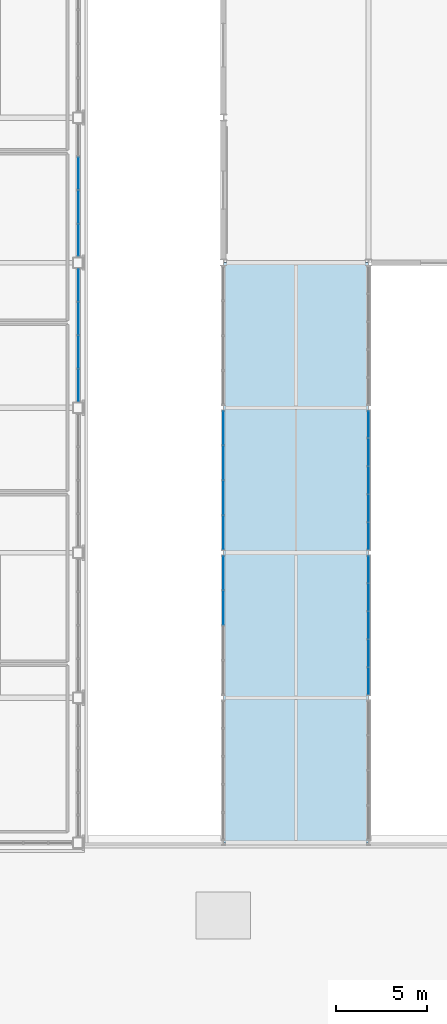
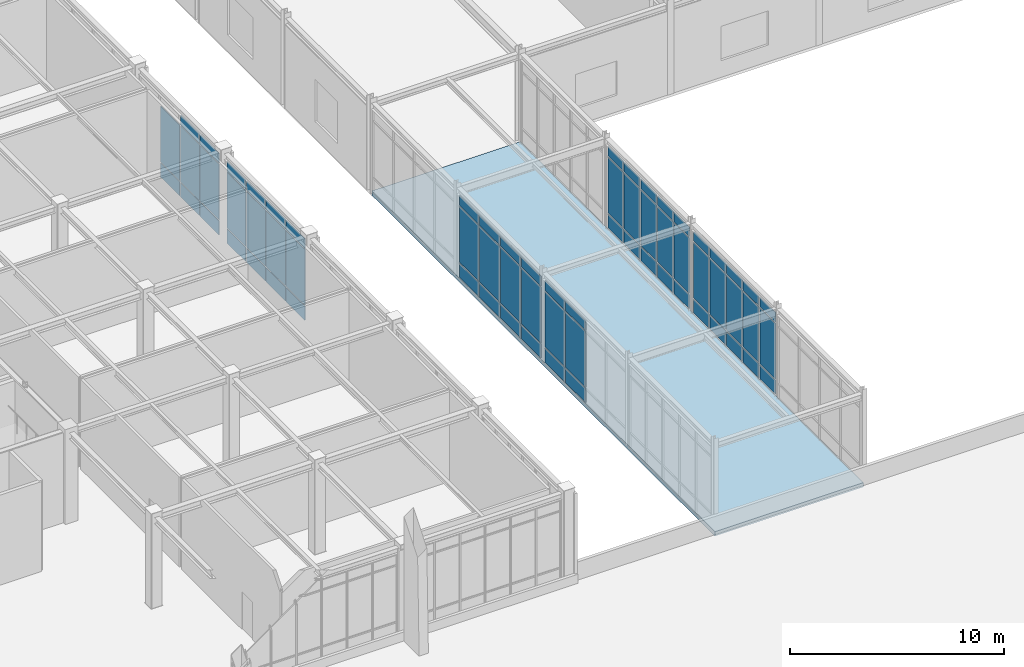
# One storey, part 62 of 108: 68 plates, 1 slab, 6 elements without a shape of their own.
"""IFC4 building model written with IfcOpenShell, lengths in metres."""

from ifc_helpers import new_model, si_unit, direction, frame, origin, origin_2d, place, context, subcontext, project, spatial, polyline, rectangle, outline, extrude, material, layer, layer_set, type_object, element, aggregate, save


model = new_model("IFC4")

# Units and contexts
model_context = context("Model", 3, precision=1e-05, world=origin(), true_north=direction((0.0, 1.0)))
body_context = subcontext(model_context, "Body", "Model", "MODEL_VIEW")
ifc_project = project(units=[si_unit("LENGTHUNIT", "METRE"), si_unit("AREAUNIT", "SQUARE_METRE"), si_unit("VOLUMEUNIT", "CUBIC_METRE"), si_unit("PLANEANGLEUNIT", "RADIAN"), si_unit("MASSUNIT", "GRAM", prefix="KILO")], contexts=[model_context])

# Site, building, storey
site_placement = place(None, origin())
site = spatial("IfcSite", under=ifc_project, at=site_placement, CompositionType="ELEMENT")
building_placement = place(site_placement, origin())
building = spatial("IfcBuilding", under=site, at=building_placement, Name="Zhaolan Boulevard Law Courts", CompositionType="ELEMENT")
storey_placement = place(building_placement, frame((0.0, 0.0, 10.800048828125)))
storey = spatial("IfcBuildingStorey", under=building, at=storey_placement, Name="L02", CompositionType="ELEMENT", Elevation=10.800048828125)

# Curtain wall, plates
ifc_material_1 = material(Name="Thermally broken aluminium and low-E glazing", Category="aluminium")
curtain_wall_type_1 = type_object("IfcCurtainWallType", Name="CURTAIN WALL M21", PredefinedType="USERDEFINED", material=ifc_material_1)
curtain_wall_1_placement = place(storey_placement, origin())
curtain_wall_1 = element("IfcCurtainWall", 1, at=curtain_wall_1_placement, inside=storey, type_object=curtain_wall_type_1, Name="Curtain Wall CW-L02-093", ObjectType="CURTAIN WALL", PredefinedType="USERDEFINED")
ifc_material_2 = material(Name="Triple-silver low-E insulated glazing", Category="glass")
ifc_layer_1 = layer(ifc_material_2, 0.028076171875)
ifc_layer_set_1 = layer_set([ifc_layer_1])
plate_type = type_object("IfcPlateType", Name="CWPANEL LOW E28", PredefinedType="CURTAIN_PANEL", material=ifc_layer_set_1)
plate_1_placement = place(storey_placement, frame((52.0, 44.888427734375, 0.06494140625), z_axis=(0.0, 0.0, 1.0), x_axis=(0.0, -1.0, 0.0)))
plate_1 = element("IfcPlate", 2, at=plate_1_placement, type_object=plate_type, Name="CW-L02-093 panel 1.1", PredefinedType="CURTAIN_PANEL", context=body_context, shape_type="SweptSolid", body=[
    extrude(rectangle(XDim=1.839111328125, YDim=0.028076171875, at=origin_2d()), origin(), (0.0, 0.0, 1.0), 0.802490234375),
])
plate_2_placement = place(storey_placement, frame((52.0, 44.888427734375, 0.932373046875), z_axis=(0.0, 0.0, 1.0), x_axis=(0.0, -1.0, 0.0)))
plate_2 = element("IfcPlate", 3, at=plate_2_placement, type_object=plate_type, Name="CW-L02-093 panel 1.2", PredefinedType="CURTAIN_PANEL", context=body_context, shape_type="SweptSolid", body=[
    extrude(rectangle(XDim=1.839111328125, YDim=0.028076171875, at=origin_2d()), origin(), (0.0, 0.0, 1.0), 3.16796875),
])
plate_3_placement = place(storey_placement, frame((52.0, 44.888427734375, 4.16552734375), z_axis=(0.0, 0.0, 1.0), x_axis=(0.0, -1.0, 0.0)))
plate_3 = element("IfcPlate", 4, at=plate_3_placement, type_object=plate_type, Name="CW-L02-093 panel 1.3", PredefinedType="CURTAIN_PANEL", context=body_context, shape_type="SweptSolid", body=[
    extrude(rectangle(XDim=1.839111328125, YDim=0.028076171875, at=origin_2d()), origin(), (0.0, 0.0, 1.0), 0.552490234375),
])
plate_4_placement = place(storey_placement, frame((52.0, 42.96826171875, 0.06494140625), z_axis=(0.0, 0.0, 1.0), x_axis=(0.0, -1.0, 0.0)))
plate_4 = element("IfcPlate", 5, at=plate_4_placement, type_object=plate_type, Name="CW-L02-093 panel 2.1", PredefinedType="CURTAIN_PANEL", context=body_context, shape_type="SweptSolid", body=[
    extrude(rectangle(XDim=1.87158203125, YDim=0.028076171875, at=origin_2d()), origin(), (0.0, 0.0, 1.0), 0.802490234375),
])
plate_5_placement = place(storey_placement, frame((52.0, 42.96826171875, 0.932373046875), z_axis=(0.0, 0.0, 1.0), x_axis=(0.0, -1.0, 0.0)))
plate_5 = element("IfcPlate", 6, at=plate_5_placement, type_object=plate_type, Name="CW-L02-093 panel 2.2", PredefinedType="CURTAIN_PANEL", context=body_context, shape_type="SweptSolid", body=[
    extrude(rectangle(XDim=1.87158203125, YDim=0.028076171875, at=origin_2d()), origin(), (0.0, 0.0, 1.0), 3.16796875),
])
plate_6_placement = place(storey_placement, frame((52.0, 42.96826171875, 4.16552734375), z_axis=(0.0, 0.0, 1.0), x_axis=(0.0, -1.0, 0.0)))
plate_6 = element("IfcPlate", 7, at=plate_6_placement, type_object=plate_type, Name="CW-L02-093 panel 2.3", PredefinedType="CURTAIN_PANEL", context=body_context, shape_type="SweptSolid", body=[
    extrude(rectangle(XDim=1.87158203125, YDim=0.028076171875, at=origin_2d()), origin(), (0.0, 0.0, 1.0), 0.552490234375),
])
aggregate(curtain_wall_1, [plate_1, plate_2, plate_3, plate_4, plate_5, plate_6])

ifc_material_3 = material(Name="Thermally broken aluminium and low-E glazing", Category="aluminium")
curtain_wall_type_2 = type_object("IfcCurtainWallType", Name="CURTAIN WALL M22", PredefinedType="USERDEFINED", material=ifc_material_3)
curtain_wall_2_placement = place(storey_placement, origin())
curtain_wall_2 = element("IfcCurtainWall", 8, at=curtain_wall_2_placement, inside=storey, type_object=curtain_wall_type_2, Name="Curtain Wall CW-L02-094", ObjectType="CURTAIN WALL", PredefinedType="USERDEFINED")
plate_7_placement = place(storey_placement, frame((52.0, 52.888427734375, 0.06494140625), z_axis=(0.0, 0.0, 1.0), x_axis=(0.0, -1.0, 0.0)))
plate_7 = element("IfcPlate", 9, at=plate_7_placement, type_object=plate_type, Name="CW-L02-094 panel 1.1", PredefinedType="CURTAIN_PANEL", context=body_context, shape_type="SweptSolid", body=[
    extrude(rectangle(XDim=1.839111328125, YDim=0.028076171875, at=origin_2d()), origin(), (0.0, 0.0, 1.0), 0.802490234375),
])
plate_8_placement = place(storey_placement, frame((52.0, 52.888427734375, 0.932373046875), z_axis=(0.0, 0.0, 1.0), x_axis=(0.0, -1.0, 0.0)))
plate_8 = element("IfcPlate", 10, at=plate_8_placement, type_object=plate_type, Name="CW-L02-094 panel 1.2", PredefinedType="CURTAIN_PANEL", context=body_context, shape_type="SweptSolid", body=[
    extrude(rectangle(XDim=1.839111328125, YDim=0.028076171875, at=origin_2d()), origin(), (0.0, 0.0, 1.0), 3.16796875),
])
plate_9_placement = place(storey_placement, frame((52.0, 52.888427734375, 4.16552734375), z_axis=(0.0, 0.0, 1.0), x_axis=(0.0, -1.0, 0.0)))
plate_9 = element("IfcPlate", 11, at=plate_9_placement, type_object=plate_type, Name="CW-L02-094 panel 1.3", PredefinedType="CURTAIN_PANEL", context=body_context, shape_type="SweptSolid", body=[
    extrude(rectangle(XDim=1.839111328125, YDim=0.028076171875, at=origin_2d()), origin(), (0.0, 0.0, 1.0), 0.552490234375),
])
plate_10_placement = place(storey_placement, frame((52.0, 50.96826171875, 0.06494140625), z_axis=(0.0, 0.0, 1.0), x_axis=(0.0, -1.0, 0.0)))
plate_10 = element("IfcPlate", 12, at=plate_10_placement, type_object=plate_type, Name="CW-L02-094 panel 2.1", PredefinedType="CURTAIN_PANEL", context=body_context, shape_type="SweptSolid", body=[
    extrude(rectangle(XDim=1.87158203125, YDim=0.028076171875, at=origin_2d()), origin(), (0.0, 0.0, 1.0), 0.802490234375),
])
plate_11_placement = place(storey_placement, frame((52.0, 50.96826171875, 0.932373046875), z_axis=(0.0, 0.0, 1.0), x_axis=(0.0, -1.0, 0.0)))
plate_11 = element("IfcPlate", 13, at=plate_11_placement, type_object=plate_type, Name="CW-L02-094 panel 2.2", PredefinedType="CURTAIN_PANEL", context=body_context, shape_type="SweptSolid", body=[
    extrude(rectangle(XDim=1.87158203125, YDim=0.028076171875, at=origin_2d()), origin(), (0.0, 0.0, 1.0), 3.16796875),
])
plate_12_placement = place(storey_placement, frame((52.0, 50.96826171875, 4.16552734375), z_axis=(0.0, 0.0, 1.0), x_axis=(0.0, -1.0, 0.0)))
plate_12 = element("IfcPlate", 14, at=plate_12_placement, type_object=plate_type, Name="CW-L02-094 panel 2.3", PredefinedType="CURTAIN_PANEL", context=body_context, shape_type="SweptSolid", body=[
    extrude(rectangle(XDim=1.87158203125, YDim=0.028076171875, at=origin_2d()), origin(), (0.0, 0.0, 1.0), 0.552490234375),
])
plate_13_placement = place(storey_placement, frame((52.0, 49.03173828125, 0.06494140625), z_axis=(0.0, 0.0, 1.0), x_axis=(0.0, -1.0, 0.0)))
plate_13 = element("IfcPlate", 15, at=plate_13_placement, type_object=plate_type, Name="CW-L02-094 panel 3.1", PredefinedType="CURTAIN_PANEL", context=body_context, shape_type="SweptSolid", body=[
    extrude(rectangle(XDim=1.87158203125, YDim=0.028076171875, at=origin_2d()), origin(), (0.0, 0.0, 1.0), 0.802490234375),
])
plate_14_placement = place(storey_placement, frame((52.0, 49.03173828125, 0.932373046875), z_axis=(0.0, 0.0, 1.0), x_axis=(0.0, -1.0, 0.0)))
plate_14 = element("IfcPlate", 16, at=plate_14_placement, type_object=plate_type, Name="CW-L02-094 panel 3.2", PredefinedType="CURTAIN_PANEL", context=body_context, shape_type="SweptSolid", body=[
    extrude(rectangle(XDim=1.87158203125, YDim=0.028076171875, at=origin_2d()), origin(), (0.0, 0.0, 1.0), 3.16796875),
])
plate_15_placement = place(storey_placement, frame((52.0, 49.03173828125, 4.16552734375), z_axis=(0.0, 0.0, 1.0), x_axis=(0.0, -1.0, 0.0)))
plate_15 = element("IfcPlate", 17, at=plate_15_placement, type_object=plate_type, Name="CW-L02-094 panel 3.3", PredefinedType="CURTAIN_PANEL", context=body_context, shape_type="SweptSolid", body=[
    extrude(rectangle(XDim=1.87158203125, YDim=0.028076171875, at=origin_2d()), origin(), (0.0, 0.0, 1.0), 0.552490234375),
])
plate_16_placement = place(storey_placement, frame((52.0, 47.111572265625, 0.06494140625), z_axis=(0.0, 0.0, 1.0), x_axis=(0.0, -1.0, 0.0)))
plate_16 = element("IfcPlate", 18, at=plate_16_placement, type_object=plate_type, Name="CW-L02-094 panel 4.1", PredefinedType="CURTAIN_PANEL", context=body_context, shape_type="SweptSolid", body=[
    extrude(rectangle(XDim=1.839111328125, YDim=0.028076171875, at=origin_2d()), origin(), (0.0, 0.0, 1.0), 0.802490234375),
])
plate_17_placement = place(storey_placement, frame((52.0, 47.111572265625, 0.932373046875), z_axis=(0.0, 0.0, 1.0), x_axis=(0.0, -1.0, 0.0)))
plate_17 = element("IfcPlate", 19, at=plate_17_placement, type_object=plate_type, Name="CW-L02-094 panel 4.2", PredefinedType="CURTAIN_PANEL", context=body_context, shape_type="SweptSolid", body=[
    extrude(rectangle(XDim=1.839111328125, YDim=0.028076171875, at=origin_2d()), origin(), (0.0, 0.0, 1.0), 3.16796875),
])
plate_18_placement = place(storey_placement, frame((52.0, 47.111572265625, 4.16552734375), z_axis=(0.0, 0.0, 1.0), x_axis=(0.0, -1.0, 0.0)))
plate_18 = element("IfcPlate", 20, at=plate_18_placement, type_object=plate_type, Name="CW-L02-094 panel 4.3", PredefinedType="CURTAIN_PANEL", context=body_context, shape_type="SweptSolid", body=[
    extrude(rectangle(XDim=1.839111328125, YDim=0.028076171875, at=origin_2d()), origin(), (0.0, 0.0, 1.0), 0.552490234375),
])
aggregate(curtain_wall_2, [plate_7, plate_8, plate_9, plate_10, plate_11, plate_12, plate_13, plate_14, plate_15, plate_16, plate_17, plate_18])

ifc_material_4 = material(Name="Thermally broken aluminium and low-E glazing", Category="aluminium")
curtain_wall_type_3 = type_object("IfcCurtainWallType", Name="CURTAIN WALL M1", PredefinedType="USERDEFINED", material=ifc_material_4)
curtain_wall_3_placement = place(storey_placement, origin())
curtain_wall_3 = element("IfcCurtainWall", 21, at=curtain_wall_3_placement, inside=storey, type_object=curtain_wall_type_3, Name="Curtain Wall CW-L02-097", ObjectType="CURTAIN WALL", PredefinedType="USERDEFINED")
plate_19_placement = place(storey_placement, frame((60.0, 38.91796875, 0.06494140625), z_axis=(0.0, 0.0, 1.0), x_axis=(0.0, 1.0, 0.0)))
plate_19 = element("IfcPlate", 22, at=plate_19_placement, type_object=plate_type, Name="CW-L02-097 panel 1.1", PredefinedType="CURTAIN_PANEL", context=body_context, shape_type="SweptSolid", body=[
    extrude(rectangle(XDim=1.45166015625, YDim=0.028076171875, at=origin_2d()), origin(), (0.0, 0.0, 1.0), 0.802490234375),
])
plate_20_placement = place(storey_placement, frame((60.0, 38.91796875, 0.932373046875), z_axis=(0.0, 0.0, 1.0), x_axis=(0.0, 1.0, 0.0)))
plate_20 = element("IfcPlate", 23, at=plate_20_placement, type_object=plate_type, Name="CW-L02-097 panel 1.2", PredefinedType="CURTAIN_PANEL", context=body_context, shape_type="SweptSolid", body=[
    extrude(rectangle(XDim=1.45166015625, YDim=0.028076171875, at=origin_2d()), origin(), (0.0, 0.0, 1.0), 3.16796875),
])
plate_21_placement = place(storey_placement, frame((60.0, 38.91796875, 4.16552734375), z_axis=(0.0, 0.0, 1.0), x_axis=(0.0, 1.0, 0.0)))
plate_21 = element("IfcPlate", 24, at=plate_21_placement, type_object=plate_type, Name="CW-L02-097 panel 1.3", PredefinedType="CURTAIN_PANEL", context=body_context, shape_type="SweptSolid", body=[
    extrude(rectangle(XDim=1.45166015625, YDim=0.028076171875, at=origin_2d()), origin(), (0.0, 0.0, 1.0), 0.552490234375),
])
plate_22_placement = place(storey_placement, frame((60.0, 40.45068359375, 0.06494140625), z_axis=(0.0, 0.0, 1.0), x_axis=(0.0, 1.0, 0.0)))
plate_22 = element("IfcPlate", 25, at=plate_22_placement, type_object=plate_type, Name="CW-L02-097 panel 2.1", PredefinedType="CURTAIN_PANEL", context=body_context, shape_type="SweptSolid", body=[
    extrude(rectangle(XDim=1.484130859375, YDim=0.028076171875, at=origin_2d()), origin(), (0.0, 0.0, 1.0), 0.802490234375),
])
plate_23_placement = place(storey_placement, frame((60.0, 40.45068359375, 0.932373046875), z_axis=(0.0, 0.0, 1.0), x_axis=(0.0, 1.0, 0.0)))
plate_23 = element("IfcPlate", 26, at=plate_23_placement, type_object=plate_type, Name="CW-L02-097 panel 2.2", PredefinedType="CURTAIN_PANEL", context=body_context, shape_type="SweptSolid", body=[
    extrude(rectangle(XDim=1.484130859375, YDim=0.028076171875, at=origin_2d()), origin(), (0.0, 0.0, 1.0), 3.16796875),
])
plate_24_placement = place(storey_placement, frame((60.0, 40.45068359375, 4.16552734375), z_axis=(0.0, 0.0, 1.0), x_axis=(0.0, 1.0, 0.0)))
plate_24 = element("IfcPlate", 27, at=plate_24_placement, type_object=plate_type, Name="CW-L02-097 panel 2.3", PredefinedType="CURTAIN_PANEL", context=body_context, shape_type="SweptSolid", body=[
    extrude(rectangle(XDim=1.484130859375, YDim=0.028076171875, at=origin_2d()), origin(), (0.0, 0.0, 1.0), 0.552490234375),
])
plate_25_placement = place(storey_placement, frame((60.0, 42.0, 0.06494140625), z_axis=(0.0, 0.0, 1.0), x_axis=(0.0, 1.0, 0.0)))
plate_25 = element("IfcPlate", 28, at=plate_25_placement, type_object=plate_type, Name="CW-L02-097 panel 3.1", PredefinedType="CURTAIN_PANEL", context=body_context, shape_type="SweptSolid", body=[
    extrude(rectangle(XDim=1.484130859375, YDim=0.028076171875, at=origin_2d()), origin(), (0.0, 0.0, 1.0), 0.802490234375),
])
plate_26_placement = place(storey_placement, frame((60.0, 42.0, 0.932373046875), z_axis=(0.0, 0.0, 1.0), x_axis=(0.0, 1.0, 0.0)))
plate_26 = element("IfcPlate", 29, at=plate_26_placement, type_object=plate_type, Name="CW-L02-097 panel 3.2", PredefinedType="CURTAIN_PANEL", context=body_context, shape_type="SweptSolid", body=[
    extrude(rectangle(XDim=1.484130859375, YDim=0.028076171875, at=origin_2d()), origin(), (0.0, 0.0, 1.0), 3.16796875),
])
plate_27_placement = place(storey_placement, frame((60.0, 42.0, 4.16552734375), z_axis=(0.0, 0.0, 1.0), x_axis=(0.0, 1.0, 0.0)))
plate_27 = element("IfcPlate", 30, at=plate_27_placement, type_object=plate_type, Name="CW-L02-097 panel 3.3", PredefinedType="CURTAIN_PANEL", context=body_context, shape_type="SweptSolid", body=[
    extrude(rectangle(XDim=1.484130859375, YDim=0.028076171875, at=origin_2d()), origin(), (0.0, 0.0, 1.0), 0.552490234375),
])
plate_28_placement = place(storey_placement, frame((60.0, 43.54931640625, 0.06494140625), z_axis=(0.0, 0.0, 1.0), x_axis=(0.0, 1.0, 0.0)))
plate_28 = element("IfcPlate", 31, at=plate_28_placement, type_object=plate_type, Name="CW-L02-097 panel 4.1", PredefinedType="CURTAIN_PANEL", context=body_context, shape_type="SweptSolid", body=[
    extrude(rectangle(XDim=1.484130859375, YDim=0.028076171875, at=origin_2d()), origin(), (0.0, 0.0, 1.0), 0.802490234375),
])
plate_29_placement = place(storey_placement, frame((60.0, 43.54931640625, 0.932373046875), z_axis=(0.0, 0.0, 1.0), x_axis=(0.0, 1.0, 0.0)))
plate_29 = element("IfcPlate", 32, at=plate_29_placement, type_object=plate_type, Name="CW-L02-097 panel 4.2", PredefinedType="CURTAIN_PANEL", context=body_context, shape_type="SweptSolid", body=[
    extrude(rectangle(XDim=1.484130859375, YDim=0.028076171875, at=origin_2d()), origin(), (0.0, 0.0, 1.0), 3.16796875),
])
plate_30_placement = place(storey_placement, frame((60.0, 43.54931640625, 4.16552734375), z_axis=(0.0, 0.0, 1.0), x_axis=(0.0, 1.0, 0.0)))
plate_30 = element("IfcPlate", 33, at=plate_30_placement, type_object=plate_type, Name="CW-L02-097 panel 4.3", PredefinedType="CURTAIN_PANEL", context=body_context, shape_type="SweptSolid", body=[
    extrude(rectangle(XDim=1.484130859375, YDim=0.028076171875, at=origin_2d()), origin(), (0.0, 0.0, 1.0), 0.552490234375),
])
plate_31_placement = place(storey_placement, frame((60.0, 45.08203125, 0.06494140625), z_axis=(0.0, 0.0, 1.0), x_axis=(0.0, 1.0, 0.0)))
plate_31 = element("IfcPlate", 34, at=plate_31_placement, type_object=plate_type, Name="CW-L02-097 panel 5.1", PredefinedType="CURTAIN_PANEL", context=body_context, shape_type="SweptSolid", body=[
    extrude(rectangle(XDim=1.45166015625, YDim=0.028076171875, at=origin_2d()), origin(), (0.0, 0.0, 1.0), 0.802490234375),
])
plate_32_placement = place(storey_placement, frame((60.0, 45.08203125, 0.932373046875), z_axis=(0.0, 0.0, 1.0), x_axis=(0.0, 1.0, 0.0)))
plate_32 = element("IfcPlate", 35, at=plate_32_placement, type_object=plate_type, Name="CW-L02-097 panel 5.2", PredefinedType="CURTAIN_PANEL", context=body_context, shape_type="SweptSolid", body=[
    extrude(rectangle(XDim=1.45166015625, YDim=0.028076171875, at=origin_2d()), origin(), (0.0, 0.0, 1.0), 3.16796875),
])
plate_33_placement = place(storey_placement, frame((60.0, 45.08203125, 4.16552734375), z_axis=(0.0, 0.0, 1.0), x_axis=(0.0, 1.0, 0.0)))
plate_33 = element("IfcPlate", 36, at=plate_33_placement, type_object=plate_type, Name="CW-L02-097 panel 5.3", PredefinedType="CURTAIN_PANEL", context=body_context, shape_type="SweptSolid", body=[
    extrude(rectangle(XDim=1.45166015625, YDim=0.028076171875, at=origin_2d()), origin(), (0.0, 0.0, 1.0), 0.552490234375),
])
aggregate(curtain_wall_3, [plate_19, plate_20, plate_21, plate_22, plate_23, plate_24, plate_25, plate_26, plate_27, plate_28, plate_29, plate_30, plate_31, plate_32, plate_33])

ifc_material_5 = material(Name="Thermally broken aluminium and low-E glazing", Category="aluminium")
curtain_wall_type_4 = type_object("IfcCurtainWallType", Name="CURTAIN WALL M2", PredefinedType="USERDEFINED", material=ifc_material_5)
curtain_wall_4_placement = place(storey_placement, origin())
curtain_wall_4 = element("IfcCurtainWall", 37, at=curtain_wall_4_placement, inside=storey, type_object=curtain_wall_type_4, Name="Curtain Wall CW-L02-098", ObjectType="CURTAIN WALL", PredefinedType="USERDEFINED")
plate_34_placement = place(storey_placement, frame((60.0, 46.91796875, 0.06494140625), z_axis=(0.0, 0.0, 1.0), x_axis=(0.0, 1.0, 0.0)))
plate_34 = element("IfcPlate", 38, at=plate_34_placement, type_object=plate_type, Name="CW-L02-098 panel 1.1", PredefinedType="CURTAIN_PANEL", context=body_context, shape_type="SweptSolid", body=[
    extrude(rectangle(XDim=1.45166015625, YDim=0.028076171875, at=origin_2d()), origin(), (0.0, 0.0, 1.0), 0.802490234375),
])
plate_35_placement = place(storey_placement, frame((60.0, 46.91796875, 0.932373046875), z_axis=(0.0, 0.0, 1.0), x_axis=(0.0, 1.0, 0.0)))
plate_35 = element("IfcPlate", 39, at=plate_35_placement, type_object=plate_type, Name="CW-L02-098 panel 1.2", PredefinedType="CURTAIN_PANEL", context=body_context, shape_type="SweptSolid", body=[
    extrude(rectangle(XDim=1.45166015625, YDim=0.028076171875, at=origin_2d()), origin(), (0.0, 0.0, 1.0), 3.16796875),
])
plate_36_placement = place(storey_placement, frame((60.0, 46.91796875, 4.16552734375), z_axis=(0.0, 0.0, 1.0), x_axis=(0.0, 1.0, 0.0)))
plate_36 = element("IfcPlate", 40, at=plate_36_placement, type_object=plate_type, Name="CW-L02-098 panel 1.3", PredefinedType="CURTAIN_PANEL", context=body_context, shape_type="SweptSolid", body=[
    extrude(rectangle(XDim=1.45166015625, YDim=0.028076171875, at=origin_2d()), origin(), (0.0, 0.0, 1.0), 0.552490234375),
])
plate_37_placement = place(storey_placement, frame((60.0, 48.45068359375, 0.06494140625), z_axis=(0.0, 0.0, 1.0), x_axis=(0.0, 1.0, 0.0)))
plate_37 = element("IfcPlate", 41, at=plate_37_placement, type_object=plate_type, Name="CW-L02-098 panel 2.1", PredefinedType="CURTAIN_PANEL", context=body_context, shape_type="SweptSolid", body=[
    extrude(rectangle(XDim=1.484130859375, YDim=0.028076171875, at=origin_2d()), origin(), (0.0, 0.0, 1.0), 0.802490234375),
])
plate_38_placement = place(storey_placement, frame((60.0, 48.45068359375, 0.932373046875), z_axis=(0.0, 0.0, 1.0), x_axis=(0.0, 1.0, 0.0)))
plate_38 = element("IfcPlate", 42, at=plate_38_placement, type_object=plate_type, Name="CW-L02-098 panel 2.2", PredefinedType="CURTAIN_PANEL", context=body_context, shape_type="SweptSolid", body=[
    extrude(rectangle(XDim=1.484130859375, YDim=0.028076171875, at=origin_2d()), origin(), (0.0, 0.0, 1.0), 3.16796875),
])
plate_39_placement = place(storey_placement, frame((60.0, 48.45068359375, 4.16552734375), z_axis=(0.0, 0.0, 1.0), x_axis=(0.0, 1.0, 0.0)))
plate_39 = element("IfcPlate", 43, at=plate_39_placement, type_object=plate_type, Name="CW-L02-098 panel 2.3", PredefinedType="CURTAIN_PANEL", context=body_context, shape_type="SweptSolid", body=[
    extrude(rectangle(XDim=1.484130859375, YDim=0.028076171875, at=origin_2d()), origin(), (0.0, 0.0, 1.0), 0.552490234375),
])
plate_40_placement = place(storey_placement, frame((60.0, 50.0, 0.06494140625), z_axis=(0.0, 0.0, 1.0), x_axis=(0.0, 1.0, 0.0)))
plate_40 = element("IfcPlate", 44, at=plate_40_placement, type_object=plate_type, Name="CW-L02-098 panel 3.1", PredefinedType="CURTAIN_PANEL", context=body_context, shape_type="SweptSolid", body=[
    extrude(rectangle(XDim=1.484130859375, YDim=0.028076171875, at=origin_2d()), origin(), (0.0, 0.0, 1.0), 0.802490234375),
])
plate_41_placement = place(storey_placement, frame((60.0, 50.0, 0.932373046875), z_axis=(0.0, 0.0, 1.0), x_axis=(0.0, 1.0, 0.0)))
plate_41 = element("IfcPlate", 45, at=plate_41_placement, type_object=plate_type, Name="CW-L02-098 panel 3.2", PredefinedType="CURTAIN_PANEL", context=body_context, shape_type="SweptSolid", body=[
    extrude(rectangle(XDim=1.484130859375, YDim=0.028076171875, at=origin_2d()), origin(), (0.0, 0.0, 1.0), 3.16796875),
])
plate_42_placement = place(storey_placement, frame((60.0, 50.0, 4.16552734375), z_axis=(0.0, 0.0, 1.0), x_axis=(0.0, 1.0, 0.0)))
plate_42 = element("IfcPlate", 46, at=plate_42_placement, type_object=plate_type, Name="CW-L02-098 panel 3.3", PredefinedType="CURTAIN_PANEL", context=body_context, shape_type="SweptSolid", body=[
    extrude(rectangle(XDim=1.484130859375, YDim=0.028076171875, at=origin_2d()), origin(), (0.0, 0.0, 1.0), 0.552490234375),
])
plate_43_placement = place(storey_placement, frame((60.0, 51.54931640625, 0.06494140625), z_axis=(0.0, 0.0, 1.0), x_axis=(0.0, 1.0, 0.0)))
plate_43 = element("IfcPlate", 47, at=plate_43_placement, type_object=plate_type, Name="CW-L02-098 panel 4.1", PredefinedType="CURTAIN_PANEL", context=body_context, shape_type="SweptSolid", body=[
    extrude(rectangle(XDim=1.484130859375, YDim=0.028076171875, at=origin_2d()), origin(), (0.0, 0.0, 1.0), 0.802490234375),
])
plate_44_placement = place(storey_placement, frame((60.0, 51.54931640625, 0.932373046875), z_axis=(0.0, 0.0, 1.0), x_axis=(0.0, 1.0, 0.0)))
plate_44 = element("IfcPlate", 48, at=plate_44_placement, type_object=plate_type, Name="CW-L02-098 panel 4.2", PredefinedType="CURTAIN_PANEL", context=body_context, shape_type="SweptSolid", body=[
    extrude(rectangle(XDim=1.484130859375, YDim=0.028076171875, at=origin_2d()), origin(), (0.0, 0.0, 1.0), 3.16796875),
])
plate_45_placement = place(storey_placement, frame((60.0, 51.54931640625, 4.16552734375), z_axis=(0.0, 0.0, 1.0), x_axis=(0.0, 1.0, 0.0)))
plate_45 = element("IfcPlate", 49, at=plate_45_placement, type_object=plate_type, Name="CW-L02-098 panel 4.3", PredefinedType="CURTAIN_PANEL", context=body_context, shape_type="SweptSolid", body=[
    extrude(rectangle(XDim=1.484130859375, YDim=0.028076171875, at=origin_2d()), origin(), (0.0, 0.0, 1.0), 0.552490234375),
])
plate_46_placement = place(storey_placement, frame((60.0, 53.08203125, 0.06494140625), z_axis=(0.0, 0.0, 1.0), x_axis=(0.0, 1.0, 0.0)))
plate_46 = element("IfcPlate", 50, at=plate_46_placement, type_object=plate_type, Name="CW-L02-098 panel 5.1", PredefinedType="CURTAIN_PANEL", context=body_context, shape_type="SweptSolid", body=[
    extrude(rectangle(XDim=1.45166015625, YDim=0.028076171875, at=origin_2d()), origin(), (0.0, 0.0, 1.0), 0.802490234375),
])
plate_47_placement = place(storey_placement, frame((60.0, 53.08203125, 0.932373046875), z_axis=(0.0, 0.0, 1.0), x_axis=(0.0, 1.0, 0.0)))
plate_47 = element("IfcPlate", 51, at=plate_47_placement, type_object=plate_type, Name="CW-L02-098 panel 5.2", PredefinedType="CURTAIN_PANEL", context=body_context, shape_type="SweptSolid", body=[
    extrude(rectangle(XDim=1.45166015625, YDim=0.028076171875, at=origin_2d()), origin(), (0.0, 0.0, 1.0), 3.16796875),
])
plate_48_placement = place(storey_placement, frame((60.0, 53.08203125, 4.16552734375), z_axis=(0.0, 0.0, 1.0), x_axis=(0.0, 1.0, 0.0)))
plate_48 = element("IfcPlate", 52, at=plate_48_placement, type_object=plate_type, Name="CW-L02-098 panel 5.3", PredefinedType="CURTAIN_PANEL", context=body_context, shape_type="SweptSolid", body=[
    extrude(rectangle(XDim=1.45166015625, YDim=0.028076171875, at=origin_2d()), origin(), (0.0, 0.0, 1.0), 0.552490234375),
])
aggregate(curtain_wall_4, [plate_34, plate_35, plate_36, plate_37, plate_38, plate_39, plate_40, plate_41, plate_42, plate_43, plate_44, plate_45, plate_46, plate_47, plate_48])

curtain_wall_5_placement = place(storey_placement, origin())
curtain_wall_5 = element("IfcCurtainWall", 53, at=curtain_wall_5_placement, inside=storey, type_object=curtain_wall_type_1, Name="Curtain Wall CW-L02-165", ObjectType="CURTAIN WALL", PredefinedType="USERDEFINED")
plate_49_placement = place(storey_placement, frame((44.0, 55.24267578125, 0.06494140625), z_axis=(0.0, 0.0, 1.0), x_axis=(0.0, 1.0, 0.0)))
plate_49 = element("IfcPlate", 54, at=plate_49_placement, type_object=plate_type, Name="CW-L02-165 panel 1.1", PredefinedType="CURTAIN_PANEL", context=body_context, shape_type="SweptSolid", body=[
    extrude(rectangle(XDim=1.75146484375, YDim=0.028076171875, at=origin_2d()), origin(), (0.0, 0.0, 1.0), 0.802490234375),
])
plate_50_placement = place(storey_placement, frame((44.0, 55.24267578125, 0.932373046875), z_axis=(0.0, 0.0, 1.0), x_axis=(0.0, 1.0, 0.0)))
plate_50 = element("IfcPlate", 55, at=plate_50_placement, type_object=plate_type, Name="CW-L02-165 panel 1.2", PredefinedType="CURTAIN_PANEL", context=body_context, shape_type="SweptSolid", body=[
    extrude(rectangle(XDim=1.75146484375, YDim=0.028076171875, at=origin_2d()), origin(), (0.0, 0.0, 1.0), 3.16796875),
])
plate_51_placement = place(storey_placement, frame((44.0, 55.24267578125, 4.16552734375), z_axis=(0.0, 0.0, 1.0), x_axis=(0.0, 1.0, 0.0)))
plate_51 = element("IfcPlate", 56, at=plate_51_placement, type_object=plate_type, Name="CW-L02-165 panel 1.3", PredefinedType="CURTAIN_PANEL", context=body_context, shape_type="SweptSolid", body=[
    extrude(rectangle(XDim=1.75146484375, YDim=0.028076171875, at=origin_2d()), origin(), (0.0, 0.0, 1.0), 0.552490234375),
])
plate_52_placement = place(storey_placement, frame((44.0, 57.075439453125, 0.06494140625), z_axis=(0.0, 0.0, 1.0), x_axis=(0.0, 1.0, 0.0)))
plate_52 = element("IfcPlate", 57, at=plate_52_placement, type_object=plate_type, Name="CW-L02-165 panel 2.1", PredefinedType="CURTAIN_PANEL", context=body_context, shape_type="SweptSolid", body=[
    extrude(rectangle(XDim=1.783935546875, YDim=0.028076171875, at=origin_2d()), origin(), (0.0, 0.0, 1.0), 0.802490234375),
])
plate_53_placement = place(storey_placement, frame((44.0, 57.075439453125, 0.932373046875), z_axis=(0.0, 0.0, 1.0), x_axis=(0.0, 1.0, 0.0)))
plate_53 = element("IfcPlate", 58, at=plate_53_placement, type_object=plate_type, Name="CW-L02-165 panel 2.2", PredefinedType="CURTAIN_PANEL", context=body_context, shape_type="SweptSolid", body=[
    extrude(rectangle(XDim=1.783935546875, YDim=0.028076171875, at=origin_2d()), origin(), (0.0, 0.0, 1.0), 3.16796875),
])
plate_54_placement = place(storey_placement, frame((44.0, 57.075439453125, 4.16552734375), z_axis=(0.0, 0.0, 1.0), x_axis=(0.0, 1.0, 0.0)))
plate_54 = element("IfcPlate", 59, at=plate_54_placement, type_object=plate_type, Name="CW-L02-165 panel 2.3", PredefinedType="CURTAIN_PANEL", context=body_context, shape_type="SweptSolid", body=[
    extrude(rectangle(XDim=1.783935546875, YDim=0.028076171875, at=origin_2d()), origin(), (0.0, 0.0, 1.0), 0.552490234375),
])
plate_55_placement = place(storey_placement, frame((44.0, 58.924560546875, 0.06494140625), z_axis=(0.0, 0.0, 1.0), x_axis=(0.0, 1.0, 0.0)))
plate_55 = element("IfcPlate", 60, at=plate_55_placement, type_object=plate_type, Name="CW-L02-165 panel 3.1", PredefinedType="CURTAIN_PANEL", context=body_context, shape_type="SweptSolid", body=[
    extrude(rectangle(XDim=1.783935546875, YDim=0.028076171875, at=origin_2d()), origin(), (0.0, 0.0, 1.0), 0.802490234375),
])
plate_56_placement = place(storey_placement, frame((44.0, 58.924560546875, 0.932373046875), z_axis=(0.0, 0.0, 1.0), x_axis=(0.0, 1.0, 0.0)))
plate_56 = element("IfcPlate", 61, at=plate_56_placement, type_object=plate_type, Name="CW-L02-165 panel 3.2", PredefinedType="CURTAIN_PANEL", context=body_context, shape_type="SweptSolid", body=[
    extrude(rectangle(XDim=1.783935546875, YDim=0.028076171875, at=origin_2d()), origin(), (0.0, 0.0, 1.0), 3.16796875),
])
plate_57_placement = place(storey_placement, frame((44.0, 58.924560546875, 4.16552734375), z_axis=(0.0, 0.0, 1.0), x_axis=(0.0, 1.0, 0.0)))
plate_57 = element("IfcPlate", 62, at=plate_57_placement, type_object=plate_type, Name="CW-L02-165 panel 3.3", PredefinedType="CURTAIN_PANEL", context=body_context, shape_type="SweptSolid", body=[
    extrude(rectangle(XDim=1.783935546875, YDim=0.028076171875, at=origin_2d()), origin(), (0.0, 0.0, 1.0), 0.552490234375),
])
plate_58_placement = place(storey_placement, frame((44.0, 60.75732421875, 0.06494140625), z_axis=(0.0, 0.0, 1.0), x_axis=(0.0, 1.0, 0.0)))
plate_58 = element("IfcPlate", 63, at=plate_58_placement, type_object=plate_type, Name="CW-L02-165 panel 4.1", PredefinedType="CURTAIN_PANEL", context=body_context, shape_type="SweptSolid", body=[
    extrude(rectangle(XDim=1.75146484375, YDim=0.028076171875, at=origin_2d()), origin(), (0.0, 0.0, 1.0), 0.802490234375),
])
plate_59_placement = place(storey_placement, frame((44.0, 60.75732421875, 0.932373046875), z_axis=(0.0, 0.0, 1.0), x_axis=(0.0, 1.0, 0.0)))
plate_59 = element("IfcPlate", 64, at=plate_59_placement, type_object=plate_type, Name="CW-L02-165 panel 4.2", PredefinedType="CURTAIN_PANEL", context=body_context, shape_type="SweptSolid", body=[
    extrude(rectangle(XDim=1.75146484375, YDim=0.028076171875, at=origin_2d()), origin(), (0.0, 0.0, 1.0), 3.16796875),
])
plate_60_placement = place(storey_placement, frame((44.0, 60.75732421875, 4.16552734375), z_axis=(0.0, 0.0, 1.0), x_axis=(0.0, 1.0, 0.0)))
plate_60 = element("IfcPlate", 65, at=plate_60_placement, type_object=plate_type, Name="CW-L02-165 panel 4.3", PredefinedType="CURTAIN_PANEL", context=body_context, shape_type="SweptSolid", body=[
    extrude(rectangle(XDim=1.75146484375, YDim=0.028076171875, at=origin_2d()), origin(), (0.0, 0.0, 1.0), 0.552490234375),
])
aggregate(curtain_wall_5, [plate_49, plate_50, plate_51, plate_52, plate_53, plate_54, plate_55, plate_56, plate_57, plate_58, plate_59, plate_60])

curtain_wall_6_placement = place(storey_placement, origin())
curtain_wall_6 = element("IfcCurtainWall", 66, at=curtain_wall_6_placement, inside=storey, type_object=curtain_wall_type_2, Name="Curtain Wall CW-L02-166", ObjectType="CURTAIN WALL", PredefinedType="USERDEFINED")
plate_61_placement = place(storey_placement, frame((44.0, 63.24267578125, 0.06494140625), z_axis=(0.0, 0.0, 1.0), x_axis=(0.0, 1.0, 0.0)))
plate_61 = element("IfcPlate", 67, at=plate_61_placement, type_object=plate_type, Name="CW-L02-166 panel 1.1", PredefinedType="CURTAIN_PANEL", context=body_context, shape_type="SweptSolid", body=[
    extrude(rectangle(XDim=1.75146484375, YDim=0.028076171875, at=origin_2d()), origin(), (0.0, 0.0, 1.0), 0.802490234375),
])
plate_62_placement = place(storey_placement, frame((44.0, 63.24267578125, 0.932373046875), z_axis=(0.0, 0.0, 1.0), x_axis=(0.0, 1.0, 0.0)))
plate_62 = element("IfcPlate", 68, at=plate_62_placement, type_object=plate_type, Name="CW-L02-166 panel 1.2", PredefinedType="CURTAIN_PANEL", context=body_context, shape_type="SweptSolid", body=[
    extrude(rectangle(XDim=1.75146484375, YDim=0.028076171875, at=origin_2d()), origin(), (0.0, 0.0, 1.0), 3.16796875),
])
plate_63_placement = place(storey_placement, frame((44.0, 63.24267578125, 4.16552734375), z_axis=(0.0, 0.0, 1.0), x_axis=(0.0, 1.0, 0.0)))
plate_63 = element("IfcPlate", 69, at=plate_63_placement, type_object=plate_type, Name="CW-L02-166 panel 1.3", PredefinedType="CURTAIN_PANEL", context=body_context, shape_type="SweptSolid", body=[
    extrude(rectangle(XDim=1.75146484375, YDim=0.028076171875, at=origin_2d()), origin(), (0.0, 0.0, 1.0), 0.552490234375),
])
plate_64_placement = place(storey_placement, frame((44.0, 65.075439453125, 0.06494140625), z_axis=(0.0, 0.0, 1.0), x_axis=(0.0, 1.0, 0.0)))
plate_64 = element("IfcPlate", 70, at=plate_64_placement, type_object=plate_type, Name="CW-L02-166 panel 2.1", PredefinedType="CURTAIN_PANEL", context=body_context, shape_type="SweptSolid", body=[
    extrude(rectangle(XDim=1.783935546875, YDim=0.028076171875, at=origin_2d()), origin(), (0.0, 0.0, 1.0), 0.802490234375),
])
plate_65_placement = place(storey_placement, frame((44.0, 65.075439453125, 0.932373046875), z_axis=(0.0, 0.0, 1.0), x_axis=(0.0, 1.0, 0.0)))
plate_65 = element("IfcPlate", 71, at=plate_65_placement, type_object=plate_type, Name="CW-L02-166 panel 2.2", PredefinedType="CURTAIN_PANEL", context=body_context, shape_type="SweptSolid", body=[
    extrude(rectangle(XDim=1.783935546875, YDim=0.028076171875, at=origin_2d()), origin(), (0.0, 0.0, 1.0), 3.16796875),
])
plate_66_placement = place(storey_placement, frame((44.0, 65.075439453125, 4.16552734375), z_axis=(0.0, 0.0, 1.0), x_axis=(0.0, 1.0, 0.0)))
plate_66 = element("IfcPlate", 72, at=plate_66_placement, type_object=plate_type, Name="CW-L02-166 panel 2.3", PredefinedType="CURTAIN_PANEL", context=body_context, shape_type="SweptSolid", body=[
    extrude(rectangle(XDim=1.783935546875, YDim=0.028076171875, at=origin_2d()), origin(), (0.0, 0.0, 1.0), 0.552490234375),
])
plate_67_placement = place(storey_placement, frame((44.0, 66.924560546875, 0.06494140625), z_axis=(0.0, 0.0, 1.0), x_axis=(0.0, 1.0, 0.0)))
plate_67 = element("IfcPlate", 73, at=plate_67_placement, type_object=plate_type, Name="CW-L02-166 panel 3.1", PredefinedType="CURTAIN_PANEL", context=body_context, shape_type="SweptSolid", body=[
    extrude(rectangle(XDim=1.783935546875, YDim=0.028076171875, at=origin_2d()), origin(), (0.0, 0.0, 1.0), 0.802490234375),
])
plate_68_placement = place(storey_placement, frame((44.0, 66.924560546875, 0.932373046875), z_axis=(0.0, 0.0, 1.0), x_axis=(0.0, 1.0, 0.0)))
plate_68 = element("IfcPlate", 74, at=plate_68_placement, type_object=plate_type, Name="CW-L02-166 panel 3.2", PredefinedType="CURTAIN_PANEL", context=body_context, shape_type="SweptSolid", body=[
    extrude(rectangle(XDim=1.783935546875, YDim=0.028076171875, at=origin_2d()), origin(), (0.0, 0.0, 1.0), 3.16796875),
])
aggregate(curtain_wall_6, [plate_61, plate_62, plate_63, plate_64, plate_65, plate_66, plate_67, plate_68])

# Slab
ifc_material_6 = material(Name="Concrete C40", Category="concrete")
ifc_layer_2 = layer(ifc_material_6, 0.25)
ifc_layer_set_2 = layer_set([ifc_layer_2])
slab_type = type_object("IfcSlabType", Name="FLOOR SLAB 250", PredefinedType="FLOOR", material=ifc_layer_set_2)
slab_placement = place(storey_placement, frame((0.0, 0.0, -0.25)))
element("IfcSlab", 75, at=slab_placement, inside=storey, type_object=slab_type, Name="Slab SLB-L02-BR1", PredefinedType="FLOOR", context=body_context, shape_type="SweptSolid", body=[
    extrude(outline(polyline([(52.0, 30.0), (60.0, 30.0), (60.0, 62.0), (52.0, 62.0), (52.0, 30.0)])), origin(), (0.0, 0.0, 1.0), 0.25),
])

save(model, "model.ifc")
